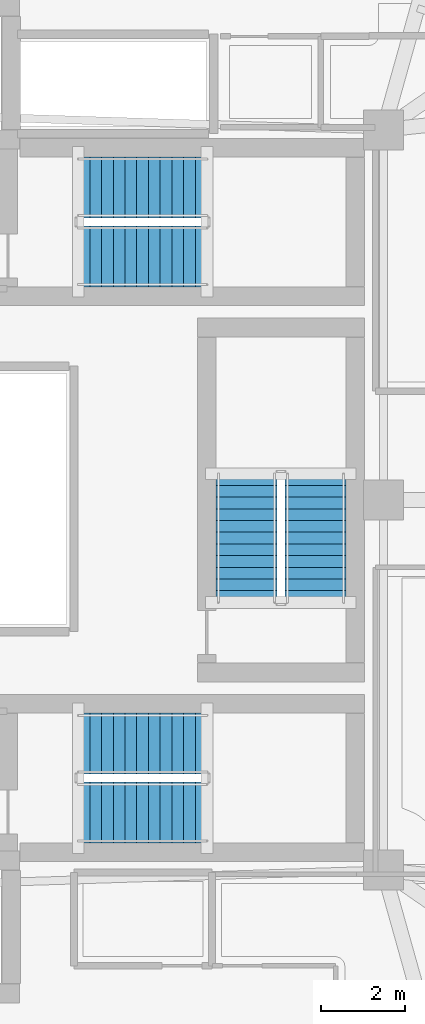
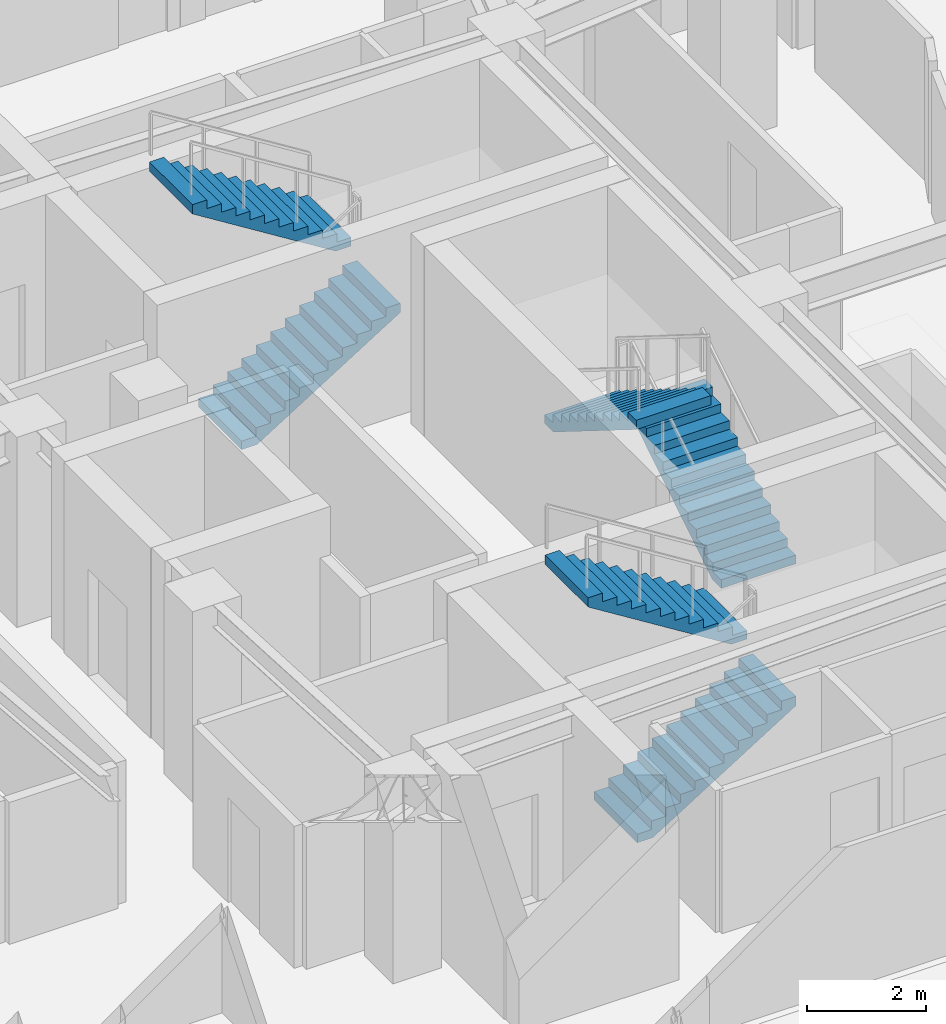
# One storey, part 12 of 15: 6 stair flights, 3 elements without a shape of their own.
"""IFC4 building model written with IfcOpenShell, lengths in metres."""

from ifc_helpers import new_model, si_unit, direction, frame, origin, place, context, subcontext, project, spatial, polyline, outline, extrude, material, type_object, element, aggregate, save


model = new_model("IFC4")

# Units and contexts
model_context = context("Model", 3, precision=1e-05, world=origin(), true_north=direction((0.0, 1.0)))
body_context = subcontext(model_context, "Body", "Model", "MODEL_VIEW")
ifc_project = project(units=[si_unit("LENGTHUNIT", "METRE"), si_unit("AREAUNIT", "SQUARE_METRE"), si_unit("VOLUMEUNIT", "CUBIC_METRE"), si_unit("PLANEANGLEUNIT", "RADIAN"), si_unit("MASSUNIT", "GRAM", prefix="KILO")], contexts=[model_context])

# Site, building, storey
site_placement = place(None, origin())
site = spatial("IfcSite", under=ifc_project, at=site_placement, CompositionType="ELEMENT")
building_placement = place(site_placement, origin())
building = spatial("IfcBuilding", under=site, at=building_placement, Name="Korentha Bioscience Tower", CompositionType="ELEMENT")
storey_placement = place(building_placement, frame((0.0, 0.0, 127.800048828125)))
storey = spatial("IfcBuildingStorey", under=building, at=storey_placement, Name="L29", CompositionType="ELEMENT", Elevation=127.800048828125)

# Stair, stair flights
ifc_material = material(Name="Precast Concrete C50", Category="concrete")
stair_type = type_object("IfcStairType", Name="Core Exit Dog-Leg Stair 1450", PredefinedType="HALF_TURN_STAIR", material=ifc_material)
stair_1_placement = place(storey_placement, origin())
stair_1 = element("IfcStair", 1, at=stair_1_placement, inside=storey, type_object=stair_type, Name="L29 Tower North Pressurized Exit Stair ST-1", PredefinedType="HALF_TURN_STAIR")
stair_flight_type = type_object("IfcStairFlightType", Name="Core Exit Dog-Leg Stair 1450 Flight", PredefinedType="STRAIGHT", material=ifc_material)
stair_flight_1_placement = place(storey_placement, frame((30.25, 32.824951171875, 0.0), z_axis=(0.0, 0.0, 1.0), x_axis=(1.0, 0.0, 0.0)))
stair_flight_1 = element("IfcStairFlight", 2, at=stair_flight_1_placement, type_object=stair_flight_type, Name="ST-1 flight 1", NumberOfRisers=12, NumberOfTreads=11, PredefinedType="STRAIGHT", RiserHeight=0.175, TreadLength=0.28, context=body_context, shape_type="SweptSolid", body=[
    extrude(outline(polyline([(0.0, 0.0), (0.0, 0.175048828125), (0.280029296875, 0.175048828125), (0.280029296875, 0.35009765625), (0.56005859375, 0.35009765625), (0.56005859375, 0.52490234375), (0.840087890625, 0.52490234375), (0.840087890625, 0.699951171875), (1.1201171875, 0.699951171875), (1.1201171875, 0.875), (1.39990234375, 0.875), (1.39990234375, 1.050048828125), (1.679931640625, 1.050048828125), (1.679931640625, 1.22509765625), (1.9599609375, 1.22509765625), (1.9599609375, 1.39990234375), (2.239990234375, 1.39990234375), (2.239990234375, 1.574951171875), (2.52001953125, 1.574951171875), (2.52001953125, 1.75), (2.800048828125, 1.75), (2.800048828125, 1.925048828125), (3.080078125, 1.925048828125), (3.080078125, 2.10009765625), (3.080078125, 1.736328125), (0.3017578125, 0.0), (0.0, 0.0)])), frame((0.0, 0.72509765625, 0.0), z_axis=(0.0, -1.0, 0.0), x_axis=(1.0, 0.0, 0.0)), (0.0, 0.0, 1.0), 1.449951171875),
])
stair_flight_2_placement = place(storey_placement, frame((33.330078125, 34.47509765625, 2.099853515625), z_axis=(0.0, 0.0, 1.0), x_axis=(-1.0, 0.0, 0.0)))
stair_flight_2 = element("IfcStairFlight", 3, at=stair_flight_2_placement, type_object=stair_flight_type, Name="ST-1 flight 2", NumberOfRisers=12, NumberOfTreads=11, PredefinedType="STRAIGHT", RiserHeight=0.175, TreadLength=0.28, context=body_context, shape_type="SweptSolid", body=[
    extrude(outline(polyline([(0.0, 0.0), (0.0, 0.175048828125), (0.280029296875, 0.175048828125), (0.280029296875, 0.35009765625), (0.56005859375, 0.35009765625), (0.56005859375, 0.52490234375), (0.840087890625, 0.52490234375), (0.840087890625, 0.699951171875), (1.1201171875, 0.699951171875), (1.1201171875, 0.875), (1.39990234375, 0.875), (1.39990234375, 1.050048828125), (1.679931640625, 1.050048828125), (1.679931640625, 1.22509765625), (1.9599609375, 1.22509765625), (1.9599609375, 1.39990234375), (2.239990234375, 1.39990234375), (2.239990234375, 1.574951171875), (2.52001953125, 1.574951171875), (2.52001953125, 1.75), (2.800048828125, 1.75), (2.800048828125, 1.925048828125), (3.080078125, 1.925048828125), (3.080078125, 2.10009765625), (3.080078125, 1.736328125), (0.3017578125, 0.0), (0.0, 0.0)])), frame((0.0, 0.72509765625, 0.0), z_axis=(0.0, -1.0, 0.0), x_axis=(1.0, 0.0, 0.0)), (0.0, 0.0, 1.0), 1.449951171875),
])
aggregate(stair_1, [stair_flight_1, stair_flight_2])

stair_2_placement = place(storey_placement, origin())
stair_2 = element("IfcStair", 4, at=stair_2_placement, inside=storey, type_object=stair_type, Name="L29 Tower South Pressurized Exit Stair ST-2", PredefinedType="HALF_TURN_STAIR")
stair_flight_3_placement = place(storey_placement, frame((30.25, 19.52490234375, 0.0), z_axis=(0.0, 0.0, 1.0), x_axis=(1.0, 0.0, 0.0)))
stair_flight_3 = element("IfcStairFlight", 5, at=stair_flight_3_placement, type_object=stair_flight_type, Name="ST-2 flight 1", NumberOfRisers=12, NumberOfTreads=11, PredefinedType="STRAIGHT", RiserHeight=0.175, TreadLength=0.28, context=body_context, shape_type="SweptSolid", body=[
    extrude(outline(polyline([(0.0, 0.0), (0.0, 0.175048828125), (0.280029296875, 0.175048828125), (0.280029296875, 0.35009765625), (0.56005859375, 0.35009765625), (0.56005859375, 0.52490234375), (0.840087890625, 0.52490234375), (0.840087890625, 0.699951171875), (1.1201171875, 0.699951171875), (1.1201171875, 0.875), (1.39990234375, 0.875), (1.39990234375, 1.050048828125), (1.679931640625, 1.050048828125), (1.679931640625, 1.22509765625), (1.9599609375, 1.22509765625), (1.9599609375, 1.39990234375), (2.239990234375, 1.39990234375), (2.239990234375, 1.574951171875), (2.52001953125, 1.574951171875), (2.52001953125, 1.75), (2.800048828125, 1.75), (2.800048828125, 1.925048828125), (3.080078125, 1.925048828125), (3.080078125, 2.10009765625), (3.080078125, 1.736328125), (0.3017578125, 0.0), (0.0, 0.0)])), frame((0.0, 0.72509765625, 0.0), z_axis=(0.0, -1.0, 0.0), x_axis=(1.0, 0.0, 0.0)), (0.0, 0.0, 1.0), 1.449951171875),
])
stair_flight_4_placement = place(storey_placement, frame((33.330078125, 21.175048828125, 2.099853515625), z_axis=(0.0, 0.0, 1.0), x_axis=(-1.0, 0.0, 0.0)))
stair_flight_4 = element("IfcStairFlight", 6, at=stair_flight_4_placement, type_object=stair_flight_type, Name="ST-2 flight 2", NumberOfRisers=12, NumberOfTreads=11, PredefinedType="STRAIGHT", RiserHeight=0.175, TreadLength=0.28, context=body_context, shape_type="SweptSolid", body=[
    extrude(outline(polyline([(0.0, 0.0), (0.0, 0.175048828125), (0.280029296875, 0.175048828125), (0.280029296875, 0.35009765625), (0.56005859375, 0.35009765625), (0.56005859375, 0.52490234375), (0.840087890625, 0.52490234375), (0.840087890625, 0.699951171875), (1.1201171875, 0.699951171875), (1.1201171875, 0.875), (1.39990234375, 0.875), (1.39990234375, 1.050048828125), (1.679931640625, 1.050048828125), (1.679931640625, 1.22509765625), (1.9599609375, 1.22509765625), (1.9599609375, 1.39990234375), (2.239990234375, 1.39990234375), (2.239990234375, 1.574951171875), (2.52001953125, 1.574951171875), (2.52001953125, 1.75), (2.800048828125, 1.75), (2.800048828125, 1.925048828125), (3.080078125, 1.925048828125), (3.080078125, 2.10009765625), (3.080078125, 1.736328125), (0.3017578125, 0.0), (0.0, 0.0)])), frame((0.0, 0.72509765625, 0.0), z_axis=(0.0, -1.0, 0.0), x_axis=(1.0, 0.0, 0.0)), (0.0, 0.0, 1.0), 1.449951171875),
])
aggregate(stair_2, [stair_flight_3, stair_flight_4])

stair_3_placement = place(storey_placement, origin())
stair_3 = element("IfcStair", 7, at=stair_3_placement, inside=storey, type_object=stair_type, Name="L29 Tower Central Pressurized Exit Stair ST-3", PredefinedType="HALF_TURN_STAIR")
stair_flight_5_placement = place(storey_placement, frame((35.925048828125, 24.550048828125, 0.0), z_axis=(0.0, 0.0, 1.0), x_axis=(0.0, 1.0, 0.0)))
stair_flight_5 = element("IfcStairFlight", 8, at=stair_flight_5_placement, type_object=stair_flight_type, Name="ST-3 flight 1", NumberOfRisers=12, NumberOfTreads=11, PredefinedType="STRAIGHT", RiserHeight=0.175, TreadLength=0.28, context=body_context, shape_type="SweptSolid", body=[
    extrude(outline(polyline([(0.0, 0.0), (0.0, 0.175048828125), (0.280029296875, 0.175048828125), (0.280029296875, 0.35009765625), (0.56005859375, 0.35009765625), (0.56005859375, 0.52490234375), (0.840087890625, 0.52490234375), (0.840087890625, 0.699951171875), (1.1201171875, 0.699951171875), (1.1201171875, 0.875), (1.39990234375, 0.875), (1.39990234375, 1.050048828125), (1.679931640625, 1.050048828125), (1.679931640625, 1.22509765625), (1.9599609375, 1.22509765625), (1.9599609375, 1.39990234375), (2.239990234375, 1.39990234375), (2.239990234375, 1.574951171875), (2.52001953125, 1.574951171875), (2.52001953125, 1.75), (2.800048828125, 1.75), (2.800048828125, 1.925048828125), (3.080078125, 1.925048828125), (3.080078125, 2.10009765625), (3.080078125, 1.736328125), (0.3017578125, 0.0), (0.0, 0.0)])), frame((0.0, 0.72509765625, 0.0), z_axis=(0.0, -1.0, 0.0), x_axis=(1.0, 0.0, 0.0)), (0.0, 0.0, 1.0), 1.449951171875),
])
stair_flight_6_placement = place(storey_placement, frame((34.27490234375, 27.6298828125, 2.099853515625), z_axis=(0.0, 0.0, 1.0), x_axis=(0.0, -1.0, 0.0)))
stair_flight_6 = element("IfcStairFlight", 9, at=stair_flight_6_placement, type_object=stair_flight_type, Name="ST-3 flight 2", NumberOfRisers=12, NumberOfTreads=11, PredefinedType="STRAIGHT", RiserHeight=0.175, TreadLength=0.28, context=body_context, shape_type="SweptSolid", body=[
    extrude(outline(polyline([(0.0, 0.0), (0.0, 0.175048828125), (0.280029296875, 0.175048828125), (0.280029296875, 0.35009765625), (0.56005859375, 0.35009765625), (0.56005859375, 0.52490234375), (0.840087890625, 0.52490234375), (0.840087890625, 0.699951171875), (1.1201171875, 0.699951171875), (1.1201171875, 0.875), (1.39990234375, 0.875), (1.39990234375, 1.050048828125), (1.679931640625, 1.050048828125), (1.679931640625, 1.22509765625), (1.9599609375, 1.22509765625), (1.9599609375, 1.39990234375), (2.239990234375, 1.39990234375), (2.239990234375, 1.574951171875), (2.52001953125, 1.574951171875), (2.52001953125, 1.75), (2.800048828125, 1.75), (2.800048828125, 1.925048828125), (3.080078125, 1.925048828125), (3.080078125, 2.10009765625), (3.080078125, 1.736328125), (0.3017578125, 0.0), (0.0, 0.0)])), frame((0.0, 0.72509765625, 0.0), z_axis=(0.0, -1.0, 0.0), x_axis=(1.0, 0.0, 0.0)), (0.0, 0.0, 1.0), 1.449951171875),
])
aggregate(stair_3, [stair_flight_5, stair_flight_6])

save(model, "model.ifc")
